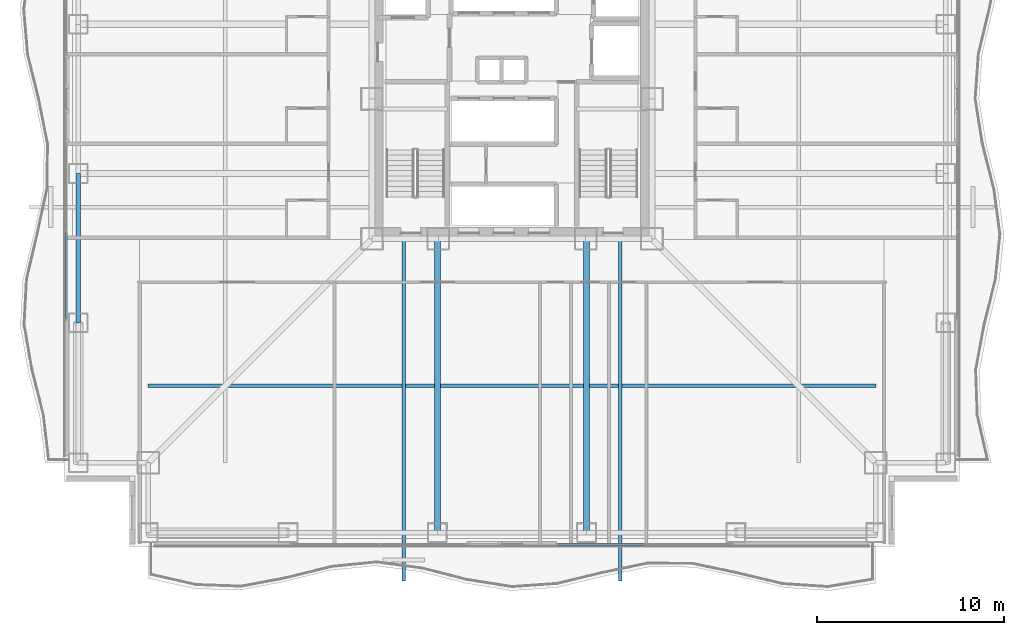
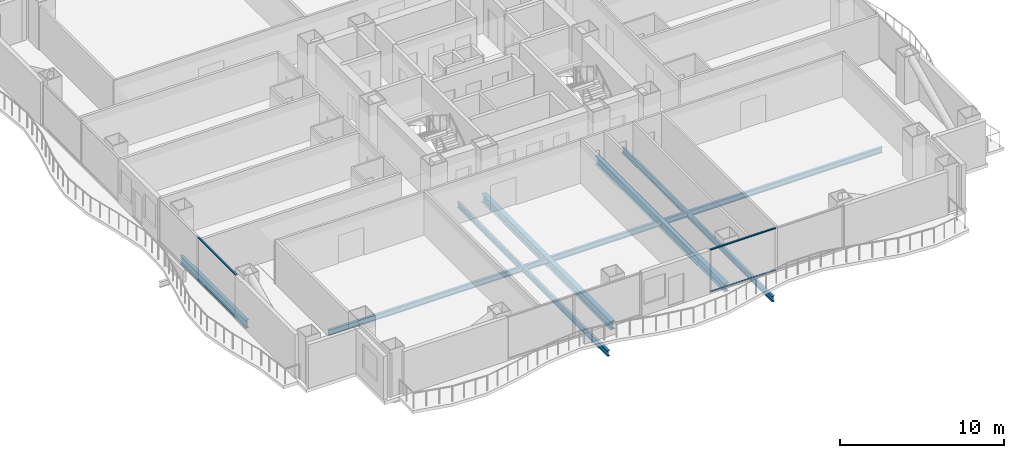
# One storey, part 3 of 24: 6 beams, 4 members, 2 elements without a shape of their own.
"""IFC4 building model written with IfcOpenShell, lengths in metres."""

from ifc_helpers import new_model, si_unit, direction, frame, origin, origin_2d, place, context, subcontext, project, spatial, rectangle, i_section, extrude, material, layer, layer_set, material_profile, profile_set, type_object, element, aggregate, save


model = new_model("IFC4")

# Units and contexts
model_context = context("Model", 3, precision=1e-05, world=origin(), true_north=direction((0.0, 1.0)))
body_context = subcontext(model_context, "Body", "Model", "MODEL_VIEW")
ifc_project = project(units=[si_unit("LENGTHUNIT", "METRE"), si_unit("AREAUNIT", "SQUARE_METRE"), si_unit("VOLUMEUNIT", "CUBIC_METRE"), si_unit("PLANEANGLEUNIT", "RADIAN"), si_unit("MASSUNIT", "GRAM", prefix="KILO")], contexts=[model_context])

# Site, building, storey
site_placement = place(None, origin())
site = spatial("IfcSite", under=ifc_project, at=site_placement, CompositionType="ELEMENT")
building_placement = place(site_placement, origin())
building = spatial("IfcBuilding", under=site, at=building_placement, Name="Trevonay Congress Spire", CompositionType="ELEMENT")
storey_placement = place(building_placement, frame((0.0, 0.0, 55.0)))
storey = spatial("IfcBuildingStorey", under=building, at=storey_placement, Name="L13", CompositionType="ELEMENT", Elevation=55.0)

# Beams
ifc_material_1 = material(Name="Steel ASTM A572 Grade 50", Category="steel")
ifc_material_profile_1 = material_profile(ifc_material_1, i_section(OverallWidth=0.324951171875, OverallDepth=0.615966796875, WebThickness=0.013916015625, FlangeThickness=0.021484375, FilletRadius=0.01806640625, at=origin_2d()), Name="W610x174")
ifc_profile_set_1 = profile_set([ifc_material_profile_1], Name="Steel ASTM A572 Grade 50")
beam_type_1 = type_object("IfcBeamType", Name="BM-GIRD-W610X174", PredefinedType="BEAM", material=ifc_profile_set_1)
for number, where, z_axis, x_axis, name in (
    (1, (-4.0, -7.5, -0.55810546875), (0.0, -1.0, 0.0), (1.0, 0.0, 0.0), "L13 structural beam BM-L13-GS-M"),
    (2, (4.0, -7.5, -0.55810546875), (0.0, -1.0, 0.0), (1.0, 0.0, 0.0), "L13 structural beam BM-L13-GS-P"),
):
    element("IfcBeam", number, at=place(storey_placement, frame(where, z_axis=z_axis, x_axis=x_axis)), inside=storey, type_object=beam_type_1, Name=name, PredefinedType="BEAM", context=body_context, shape_type="SweptSolid", body=[
        extrude(i_section(OverallWidth=0.324951171875, OverallDepth=0.615966796875, WebThickness=0.013916015625, FlangeThickness=0.021484375, FilletRadius=0.01806640625, at=origin_2d()), origin(), (0.0, 0.0, 1.0), 15.75),
    ])
ifc_material_profile_2 = material_profile(ifc_material_1, i_section(OverallWidth=0.22998046875, OverallDepth=0.616943359375, WebThickness=0.01318359375, FlangeThickness=0.022216796875, FilletRadius=0.01611328125, at=origin_2d()), Name="W610x140")
ifc_profile_set_2 = profile_set([ifc_material_profile_2], Name="Steel ASTM A572 Grade 50")
beam_type_2 = type_object("IfcBeamType", Name="BM-RING-W610X140", PredefinedType="BEAM", material=ifc_profile_set_2)
beam_1_placement = place(storey_placement, frame((-23.25, -12.0, -0.55859375), z_axis=(0.0, 1.0, 0.0), x_axis=(-1.0, 0.0, 0.0)))
element("IfcBeam", 3, at=beam_1_placement, inside=storey, type_object=beam_type_2, Name="L13 structural beam BM-L13-PW2", PredefinedType="BEAM", context=body_context, shape_type="SweptSolid", body=[
    extrude(i_section(OverallWidth=0.22998046875, OverallDepth=0.616943359375, WebThickness=0.01318359375, FlangeThickness=0.022216796875, FilletRadius=0.01611328125, at=origin_2d()), origin(), (0.0, 0.0, 1.0), 8.0),
])
ifc_material_profile_3 = material_profile(ifc_material_1, i_section(OverallWidth=0.180908203125, OverallDepth=0.4169921875, WebThickness=0.010986328125, FlangeThickness=0.018310546875, FilletRadius=0.012939453125, at=origin_2d()), Name="W410x85")
ifc_profile_set_3 = profile_set([ifc_material_profile_3], Name="Steel ASTM A572 Grade 50")
beam_type_3 = type_object("IfcBeamType", Name="BM-WAV-LOOKOUT", PredefinedType="BEAM", material=ifc_profile_set_3)
for number, where, z_axis, x_axis, name in (
    (4, (-5.800048828125, -7.5, -0.45849609375), (0.0, -1.0, 0.0), (1.0, 0.0, 0.0), "L13 structural beam WLK-L13-S1"),
    (5, (5.800048828125, -7.5, -0.45849609375), (0.0, -1.0, 0.0), (1.0, 0.0, 0.0), "L13 structural beam WLK-L13-S2"),
):
    element("IfcBeam", number, at=place(storey_placement, frame(where, z_axis=z_axis, x_axis=x_axis)), inside=storey, type_object=beam_type_3, Name=name, PredefinedType="BEAM", context=body_context, shape_type="SweptSolid", body=[
        extrude(i_section(OverallWidth=0.180908203125, OverallDepth=0.4169921875, WebThickness=0.010986328125, FlangeThickness=0.018310546875, FilletRadius=0.012939453125, at=origin_2d()), origin(), (0.0, 0.0, 1.0), 18.35009765625),
    ])

# Curtain wall, members
ifc_material_2 = material(Name="Pale Anodised Aluminium EN AW-6063-T6", Category="aluminium")
ifc_layer = layer(ifc_material_2, 0.179931640625, Name="Pale Anodised Aluminium EN AW-6063-T6")
ifc_layer_set = layer_set([ifc_layer], Name="Pale Anodised Aluminium EN AW-6063-T6")
curtain_wall_type = type_object("IfcCurtainWallType", Name="CW-SYS02-HOTEL-PALE-METAL", PredefinedType="NOTDEFINED", material=ifc_layer_set)
curtain_wall_1_placement = place(storey_placement, origin())
curtain_wall_1 = element("IfcCurtainWall", 6, at=curtain_wall_1_placement, inside=storey, type_object=curtain_wall_type, Name="L13 SB unitised curtain wall", PredefinedType="NOTDEFINED")
ifc_material_profile_4 = material_profile(ifc_material_2, rectangle(XDim=0.1201171875, YDim=0.06005859375, at=origin_2d()), Name="CW-TRANSOM-120-ALUMINIUM")
ifc_profile_set_4 = profile_set([ifc_material_profile_4], Name="Pale Anodised Aluminium EN AW-6063-T6")
member_type = type_object("IfcMemberType", Name="CW-TRANSOM-120-ALUMINIUM", PredefinedType="USERDEFINED", material=ifc_profile_set_4)
member_1_placement = place(storey_placement, frame((2.4599609375, -23.8798828125, 0.06005859375), z_axis=(1.0, 0.0, 0.0), x_axis=(0.0, 1.0, 0.0)))
member_1 = element("IfcMember", 7, at=member_1_placement, type_object=member_type, Name="CW02 transom 1.1", ObjectType="TRANSOM", PredefinedType="USERDEFINED", context=body_context, shape_type="SweptSolid", body=[
    extrude(rectangle(XDim=0.1201171875, YDim=0.06005859375, at=origin_2d()), origin(), (0.0, 0.0, 1.0), 4.635009765625),
])
member_2_placement = place(storey_placement, frame((2.4599609375, -23.8798828125, 3.18994140625), z_axis=(1.0, 0.0, 0.0), x_axis=(0.0, 1.0, 0.0)))
member_2 = element("IfcMember", 8, at=member_2_placement, type_object=member_type, Name="CW02 transom 1.2", ObjectType="TRANSOM", PredefinedType="USERDEFINED", context=body_context, shape_type="SweptSolid", body=[
    extrude(rectangle(XDim=0.1201171875, YDim=0.06005859375, at=origin_2d()), origin(), (0.0, 0.0, 1.0), 4.635009765625),
])
aggregate(curtain_wall_1, [member_1, member_2])

curtain_wall_2_placement = place(storey_placement, origin())
curtain_wall_2 = element("IfcCurtainWall", 9, at=curtain_wall_2_placement, inside=storey, type_object=curtain_wall_type, Name="L13 WA unitised curtain wall", PredefinedType="NOTDEFINED")
member_3_placement = place(storey_placement, frame((-23.8798828125, -11.7900390625, 0.06005859375), z_axis=(0.0, 1.0, 0.0), x_axis=(-1.0, 0.0, 0.0)))
member_3 = element("IfcMember", 10, at=member_3_placement, type_object=member_type, Name="CW02 transom 1.1", ObjectType="TRANSOM", PredefinedType="USERDEFINED", context=body_context, shape_type="SweptSolid", body=[
    extrude(rectangle(XDim=0.1201171875, YDim=0.06005859375, at=origin_2d()), origin(), (0.0, 0.0, 1.0), 4.635009765625),
])
member_4_placement = place(storey_placement, frame((-23.8798828125, -11.7900390625, 3.18994140625), z_axis=(0.0, 1.0, 0.0), x_axis=(-1.0, 0.0, 0.0)))
member_4 = element("IfcMember", 11, at=member_4_placement, type_object=member_type, Name="CW02 transom 1.2", ObjectType="TRANSOM", PredefinedType="USERDEFINED", context=body_context, shape_type="SweptSolid", body=[
    extrude(rectangle(XDim=0.1201171875, YDim=0.06005859375, at=origin_2d()), origin(), (0.0, 0.0, 1.0), 4.635009765625),
])
aggregate(curtain_wall_2, [member_3, member_4])

# Beam
ifc_material_profile_5 = material_profile(ifc_material_1, i_section(OverallWidth=0.177978515625, OverallDepth=0.406982421875, WebThickness=0.0078125, FlangeThickness=0.0126953125, FilletRadius=0.012939453125, at=origin_2d()), Name="W410x60")
ifc_profile_set_5 = profile_set([ifc_material_profile_5], Name="Steel ASTM A572 Grade 50")
beam_type_4 = type_object("IfcBeamType", Name="JS-COMP-W410X60", PredefinedType="JOIST", material=ifc_profile_set_5)
beam_2_placement = place(storey_placement, frame((-19.5, -15.375, -0.45361328125), z_axis=(1.0, 0.0, 0.0), x_axis=(0.0, 1.0, 0.0)))
element("IfcBeam", 12, at=beam_2_placement, inside=storey, type_object=beam_type_4, Name="L13 structural beam JS-L13-RING-S", PredefinedType="JOIST", context=body_context, shape_type="SweptSolid", body=[
    extrude(i_section(OverallWidth=0.177978515625, OverallDepth=0.406982421875, WebThickness=0.0078125, FlangeThickness=0.0126953125, FilletRadius=0.012939453125, at=origin_2d()), origin(), (0.0, 0.0, 1.0), 39.0),
])

save(model, "model.ifc")
